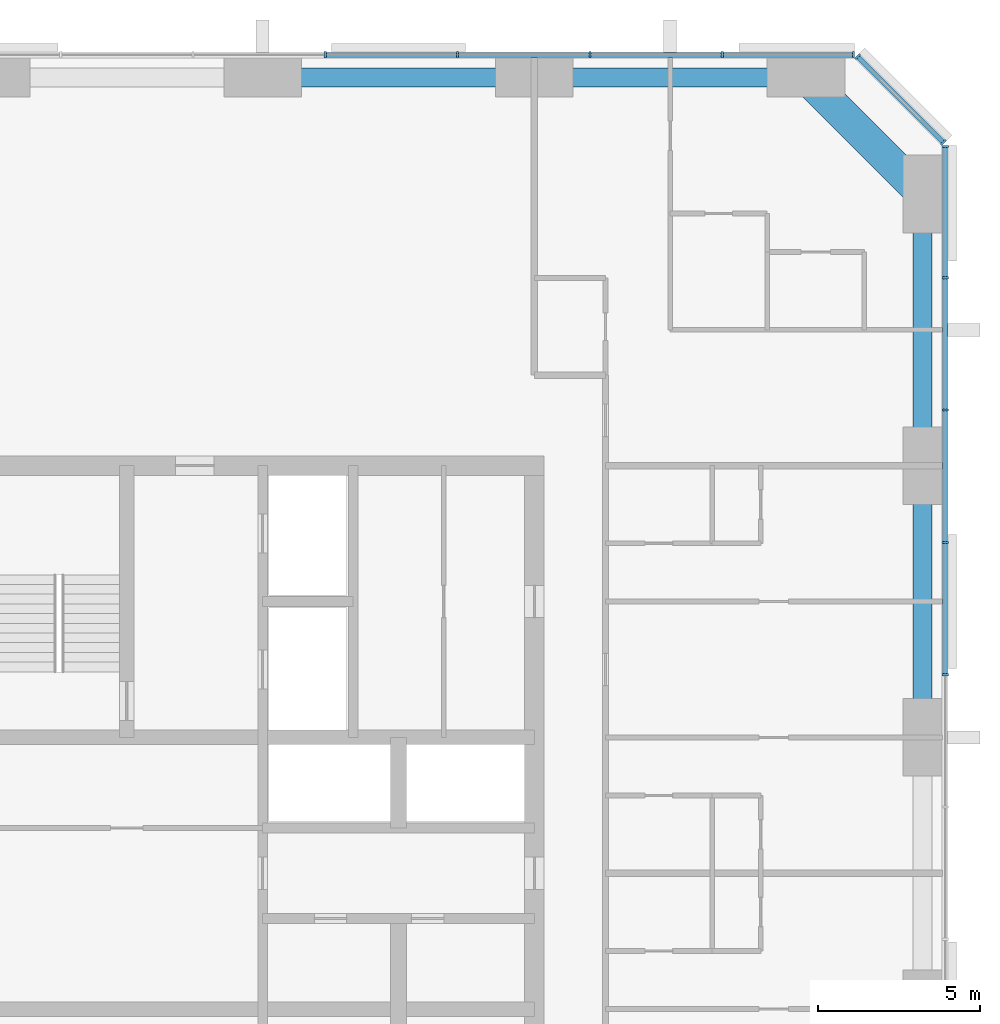
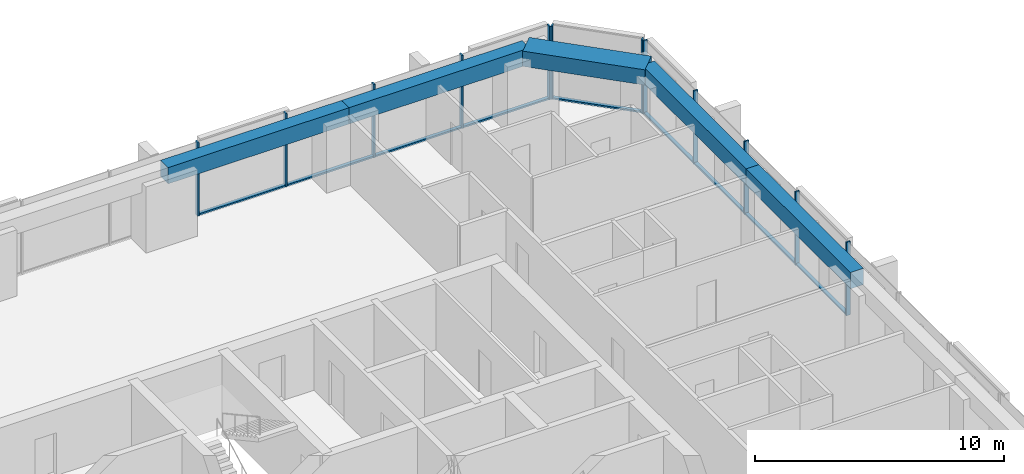
# One storey, part 6 of 14: 21 members, 5 beams, 3 elements without a shape of their own.
"""IFC4 building model written with IfcOpenShell, lengths in metres."""

from ifc_helpers import new_model, si_unit, direction, frame, origin, origin_2d, place, context, subcontext, project, spatial, rectangle, extrude, material, material_profile, profile_set, type_object, element, aggregate, save


model = new_model("IFC4")

# Units and contexts
model_context = context("Model", 3, precision=1e-05, world=origin(), true_north=direction((0.0, 1.0)))
body_context = subcontext(model_context, "Body", "Model", "MODEL_VIEW")
ifc_project = project(units=[si_unit("LENGTHUNIT", "METRE"), si_unit("AREAUNIT", "SQUARE_METRE"), si_unit("VOLUMEUNIT", "CUBIC_METRE"), si_unit("PLANEANGLEUNIT", "RADIAN"), si_unit("MASSUNIT", "GRAM", prefix="KILO")], contexts=[model_context])

# Site, building, storey
site_placement = place(None, origin())
site = spatial("IfcSite", under=ifc_project, at=site_placement, CompositionType="ELEMENT")
building_placement = place(site_placement, origin())
building = spatial("IfcBuilding", under=site, at=building_placement, Name="Dunama Terrace Hotel", CompositionType="ELEMENT")
storey_placement = place(building_placement, frame((0.0, 0.0, 202.199951171875)))
storey = spatial("IfcBuildingStorey", under=building, at=storey_placement, Name="L52", CompositionType="ELEMENT", Elevation=202.199951171875)

# Curtain wall, members
ifc_material_1 = material(Name="Aluminium curtain wall system", Category="aluminium")
curtain_wall_type = type_object("IfcCurtainWallType", Name="Unitised fritted glass wall CW-C", PredefinedType="NOTDEFINED", material=ifc_material_1)
curtain_wall_1_placement = place(storey_placement, origin())
curtain_wall_1 = element("IfcCurtainWall", 1, at=curtain_wall_1_placement, inside=storey, type_object=curtain_wall_type, Name="Unitised fritted glass wall CW-C L52", PredefinedType="NOTDEFINED")
ifc_material_2 = material(Name="Aluminium mullion", Category="aluminium")
ifc_material_profile_1 = material_profile(ifc_material_2, rectangle(XDim=0.070068359375, YDim=0.199951171875, at=origin_2d()), Name="CWC MULLION 70X200")
ifc_profile_set_1 = profile_set([ifc_material_profile_1], Name="Aluminium mullion")
member_type_1 = type_object("IfcMemberType", Name="CWC mullion 70x200", PredefinedType="MULLION", material=ifc_profile_set_1)
member_1_placement = place(storey_placement, frame((54.699951171875, 35.535888671875, 0.0), z_axis=(0.0, 0.0, 1.0), x_axis=(0.0, 1.0, 0.0)))
member_1 = element("IfcMember", 2, at=member_1_placement, type_object=member_type_1, Name="CWC mullion", PredefinedType="MULLION", context=body_context, shape_type="SweptSolid", body=[
    extrude(rectangle(XDim=0.070068359375, YDim=0.199951171875, at=origin_2d()), origin(), (0.0, 0.0, 1.0), 3.60009765625),
])
member_2_placement = place(storey_placement, frame((54.699951171875, 39.626953125, 0.0), z_axis=(0.0, 0.0, 1.0), x_axis=(0.0, 1.0, 0.0)))
member_2 = element("IfcMember", 3, at=member_2_placement, type_object=member_type_1, Name="CWC mullion", PredefinedType="MULLION", context=body_context, shape_type="SweptSolid", body=[
    extrude(rectangle(XDim=0.070068359375, YDim=0.199951171875, at=origin_2d()), origin(), (0.0, 0.0, 1.0), 3.60009765625),
])
member_3_placement = place(storey_placement, frame((54.699951171875, 43.718017578125, 0.0), z_axis=(0.0, 0.0, 1.0), x_axis=(0.0, 1.0, 0.0)))
member_3 = element("IfcMember", 4, at=member_3_placement, type_object=member_type_1, Name="CWC mullion", PredefinedType="MULLION", context=body_context, shape_type="SweptSolid", body=[
    extrude(rectangle(XDim=0.070068359375, YDim=0.199951171875, at=origin_2d()), origin(), (0.0, 0.0, 1.0), 3.60009765625),
])
member_4_placement = place(storey_placement, frame((54.699951171875, 47.80908203125, 0.0), z_axis=(0.0, 0.0, 1.0), x_axis=(0.0, 1.0, 0.0)))
member_4 = element("IfcMember", 5, at=member_4_placement, type_object=member_type_1, Name="CWC mullion", PredefinedType="MULLION", context=body_context, shape_type="SweptSolid", body=[
    extrude(rectangle(XDim=0.070068359375, YDim=0.199951171875, at=origin_2d()), origin(), (0.0, 0.0, 1.0), 3.60009765625),
])
member_5_placement = place(storey_placement, frame((54.699951171875, 51.864990234375, 0.0), z_axis=(0.0, 0.0, 1.0), x_axis=(0.0, 1.0, 0.0)))
member_5 = element("IfcMember", 6, at=member_5_placement, type_object=member_type_1, Name="CWC mullion", PredefinedType="MULLION", context=body_context, shape_type="SweptSolid", body=[
    extrude(rectangle(XDim=0.070068359375, YDim=0.199951171875, at=origin_2d()), origin(), (0.0, 0.0, 1.0), 3.60009765625),
])

curtain_wall_2_placement = place(storey_placement, origin())
curtain_wall_2 = element("IfcCurtainWall", 7, at=curtain_wall_2_placement, inside=storey, type_object=curtain_wall_type, Name="Unitised fritted glass wall CW-C L52", PredefinedType="NOTDEFINED")
member_6_placement = place(storey_placement, frame((54.64599609375, 51.9951171875, 0.0), z_axis=(0.0, 0.0, 1.0), x_axis=(-0.707106781187, 0.707106781187, 0.0)))
member_6 = element("IfcMember", 8, at=member_6_placement, type_object=member_type_1, Name="CWC mullion", PredefinedType="MULLION", context=body_context, shape_type="SweptSolid", body=[
    extrude(rectangle(XDim=0.070068359375, YDim=0.199951171875, at=origin_2d()), origin(), (0.0, 0.0, 1.0), 3.60009765625),
])
member_7_placement = place(storey_placement, frame((51.9951171875, 54.64599609375, 0.0), z_axis=(0.0, 0.0, 1.0), x_axis=(-0.707106781187, 0.707106781187, 0.0)))
member_7 = element("IfcMember", 9, at=member_7_placement, type_object=member_type_1, Name="CWC mullion", PredefinedType="MULLION", context=body_context, shape_type="SweptSolid", body=[
    extrude(rectangle(XDim=0.070068359375, YDim=0.199951171875, at=origin_2d()), origin(), (0.0, 0.0, 1.0), 3.60009765625),
])

curtain_wall_3_placement = place(storey_placement, origin())
curtain_wall_3 = element("IfcCurtainWall", 10, at=curtain_wall_3_placement, inside=storey, type_object=curtain_wall_type, Name="Unitised fritted glass wall CW-C L52", PredefinedType="NOTDEFINED")
member_8_placement = place(storey_placement, frame((51.864990234375, 54.699951171875, 0.0), z_axis=(0.0, 0.0, 1.0), x_axis=(-1.0, 0.0, 0.0)))
member_8 = element("IfcMember", 11, at=member_8_placement, type_object=member_type_1, Name="CWC mullion", PredefinedType="MULLION", context=body_context, shape_type="SweptSolid", body=[
    extrude(rectangle(XDim=0.070068359375, YDim=0.199951171875, at=origin_2d()), origin(), (0.0, 0.0, 1.0), 3.60009765625),
])
member_9_placement = place(storey_placement, frame((47.80908203125, 54.699951171875, 0.0), z_axis=(0.0, 0.0, 1.0), x_axis=(-1.0, 0.0, 0.0)))
member_9 = element("IfcMember", 12, at=member_9_placement, type_object=member_type_1, Name="CWC mullion", PredefinedType="MULLION", context=body_context, shape_type="SweptSolid", body=[
    extrude(rectangle(XDim=0.070068359375, YDim=0.199951171875, at=origin_2d()), origin(), (0.0, 0.0, 1.0), 3.60009765625),
])
member_10_placement = place(storey_placement, frame((43.718017578125, 54.699951171875, 0.0), z_axis=(0.0, 0.0, 1.0), x_axis=(-1.0, 0.0, 0.0)))
member_10 = element("IfcMember", 13, at=member_10_placement, type_object=member_type_1, Name="CWC mullion", PredefinedType="MULLION", context=body_context, shape_type="SweptSolid", body=[
    extrude(rectangle(XDim=0.070068359375, YDim=0.199951171875, at=origin_2d()), origin(), (0.0, 0.0, 1.0), 3.60009765625),
])
member_11_placement = place(storey_placement, frame((39.626953125, 54.699951171875, 0.0), z_axis=(0.0, 0.0, 1.0), x_axis=(-1.0, 0.0, 0.0)))
member_11 = element("IfcMember", 14, at=member_11_placement, type_object=member_type_1, Name="CWC mullion", PredefinedType="MULLION", context=body_context, shape_type="SweptSolid", body=[
    extrude(rectangle(XDim=0.070068359375, YDim=0.199951171875, at=origin_2d()), origin(), (0.0, 0.0, 1.0), 3.60009765625),
])
member_12_placement = place(storey_placement, frame((35.535888671875, 54.699951171875, 0.0), z_axis=(0.0, 0.0, 1.0), x_axis=(-1.0, 0.0, 0.0)))
member_12 = element("IfcMember", 15, at=member_12_placement, type_object=member_type_1, Name="CWC mullion", PredefinedType="MULLION", context=body_context, shape_type="SweptSolid", body=[
    extrude(rectangle(XDim=0.070068359375, YDim=0.199951171875, at=origin_2d()), origin(), (0.0, 0.0, 1.0), 3.60009765625),
])

# Member
ifc_material_3 = material(Name="Aluminium transom", Category="aluminium")
ifc_material_profile_2 = material_profile(ifc_material_3, rectangle(XDim=0.159912109375, YDim=0.080078125, at=origin_2d()), Name="CWC TRANSOM 160X80")
ifc_profile_set_2 = profile_set([ifc_material_profile_2], Name="Aluminium transom")
member_type_2 = type_object("IfcMemberType", Name="CWC transom 160x80", PredefinedType="USERDEFINED", material=ifc_profile_set_2)
member_13_placement = place(storey_placement, frame((54.699951171875, 35.571044921875, 0.0400390625), z_axis=(0.0, 1.0, 0.0), x_axis=(-1.0, 0.0, 0.0)))
member_13 = element("IfcMember", 16, at=member_13_placement, type_object=member_type_2, Name="CWC transom", ObjectType="TRANSOM", PredefinedType="USERDEFINED", context=body_context, shape_type="SweptSolid", body=[
    extrude(rectangle(XDim=0.159912109375, YDim=0.080078125, at=origin_2d()), origin(), (0.0, 0.0, 1.0), 4.02099609375),
])

member_14_placement = place(storey_placement, frame((54.699951171875, 39.662109375, 0.0400390625), z_axis=(0.0, 1.0, 0.0), x_axis=(-1.0, 0.0, 0.0)))
member_14 = element("IfcMember", 17, at=member_14_placement, type_object=member_type_2, Name="CWC transom", ObjectType="TRANSOM", PredefinedType="USERDEFINED", context=body_context, shape_type="SweptSolid", body=[
    extrude(rectangle(XDim=0.159912109375, YDim=0.080078125, at=origin_2d()), origin(), (0.0, 0.0, 1.0), 4.02099609375),
])

member_15_placement = place(storey_placement, frame((54.699951171875, 43.7529296875, 0.0400390625), z_axis=(0.0, 1.0, 0.0), x_axis=(-1.0, 0.0, 0.0)))
member_15 = element("IfcMember", 18, at=member_15_placement, type_object=member_type_2, Name="CWC transom", ObjectType="TRANSOM", PredefinedType="USERDEFINED", context=body_context, shape_type="SweptSolid", body=[
    extrude(rectangle(XDim=0.159912109375, YDim=0.080078125, at=origin_2d()), origin(), (0.0, 0.0, 1.0), 4.02099609375),
])

member_16_placement = place(storey_placement, frame((54.699951171875, 47.843994140625, 0.0400390625), z_axis=(0.0, 1.0, 0.0), x_axis=(-1.0, 0.0, 0.0)))
member_16 = element("IfcMember", 19, at=member_16_placement, type_object=member_type_2, Name="CWC transom", ObjectType="TRANSOM", PredefinedType="USERDEFINED", context=body_context, shape_type="SweptSolid", body=[
    extrude(rectangle(XDim=0.159912109375, YDim=0.080078125, at=origin_2d()), origin(), (0.0, 0.0, 1.0), 3.986083984375),
])

aggregate(curtain_wall_1, [member_1, member_2, member_3, member_4, member_5, member_13, member_14, member_15, member_16])

member_17_placement = place(storey_placement, frame((54.62109375, 52.02001953125, 0.0400390625), z_axis=(-0.707106781187, 0.707106781187, 0.0), x_axis=(-0.707106781187, -0.707106781187, 0.0)))
member_17 = element("IfcMember", 20, at=member_17_placement, type_object=member_type_2, Name="CWC transom", ObjectType="TRANSOM", PredefinedType="USERDEFINED", context=body_context, shape_type="SweptSolid", body=[
    extrude(rectangle(XDim=0.159912109375, YDim=0.080078125, at=origin_2d()), origin(), (0.0, 0.0, 1.0), 3.678466796875),
])

aggregate(curtain_wall_2, [member_6, member_7, member_17])

member_18_placement = place(storey_placement, frame((51.830078125, 54.699951171875, 0.0400390625), z_axis=(-1.0, 0.0, 0.0), x_axis=(0.0, -1.0, 0.0)))
member_18 = element("IfcMember", 21, at=member_18_placement, type_object=member_type_2, Name="CWC transom", ObjectType="TRANSOM", PredefinedType="USERDEFINED", context=body_context, shape_type="SweptSolid", body=[
    extrude(rectangle(XDim=0.159912109375, YDim=0.080078125, at=origin_2d()), origin(), (0.0, 0.0, 1.0), 3.986083984375),
])

member_19_placement = place(storey_placement, frame((47.77392578125, 54.699951171875, 0.0400390625), z_axis=(-1.0, 0.0, 0.0), x_axis=(0.0, -1.0, 0.0)))
member_19 = element("IfcMember", 22, at=member_19_placement, type_object=member_type_2, Name="CWC transom", ObjectType="TRANSOM", PredefinedType="USERDEFINED", context=body_context, shape_type="SweptSolid", body=[
    extrude(rectangle(XDim=0.159912109375, YDim=0.080078125, at=origin_2d()), origin(), (0.0, 0.0, 1.0), 4.02099609375),
])

member_20_placement = place(storey_placement, frame((43.68310546875, 54.699951171875, 0.0400390625), z_axis=(-1.0, 0.0, 0.0), x_axis=(0.0, -1.0, 0.0)))
member_20 = element("IfcMember", 23, at=member_20_placement, type_object=member_type_2, Name="CWC transom", ObjectType="TRANSOM", PredefinedType="USERDEFINED", context=body_context, shape_type="SweptSolid", body=[
    extrude(rectangle(XDim=0.159912109375, YDim=0.080078125, at=origin_2d()), origin(), (0.0, 0.0, 1.0), 4.02099609375),
])

member_21_placement = place(storey_placement, frame((39.592041015625, 54.699951171875, 0.0400390625), z_axis=(-1.0, 0.0, 0.0), x_axis=(0.0, -1.0, 0.0)))
member_21 = element("IfcMember", 24, at=member_21_placement, type_object=member_type_2, Name="CWC transom", ObjectType="TRANSOM", PredefinedType="USERDEFINED", context=body_context, shape_type="SweptSolid", body=[
    extrude(rectangle(XDim=0.159912109375, YDim=0.080078125, at=origin_2d()), origin(), (0.0, 0.0, 1.0), 4.02099609375),
])

aggregate(curtain_wall_3, [member_8, member_9, member_10, member_11, member_12, member_18, member_19, member_20, member_21])

# Beams
ifc_material_4 = material(Name="Concrete C50/60", Category="concrete")
ifc_material_profile_3 = material_profile(ifc_material_4, rectangle(XDim=1.0, YDim=0.75, at=origin_2d()), Name="RC 1000x750")
ifc_profile_set_3 = profile_set([ifc_material_profile_3], Name="Concrete C50/60")
beam_type_1 = type_object("IfcBeamType", Name="Edge beam RC 1000x750", PredefinedType="SPANDREL", material=ifc_profile_set_3)
beam_placement = place(storey_placement, frame((50.39990234375, 54.0, 3.22509765625), z_axis=(0.707106781187, -0.707106781187, 0.0), x_axis=(0.707106781187, 0.707106781187, 0.0)))
element("IfcBeam", 25, at=beam_placement, inside=storey, type_object=beam_type_1, Name="Corner edge beam under L53", PredefinedType="SPANDREL", context=body_context, shape_type="SweptSolid", body=[
    extrude(rectangle(XDim=1.0, YDim=0.75, at=origin_2d()), origin(), (0.0, 0.0, 1.0), 5.09130859375),
])
ifc_material_5 = material(Name="Concrete C40/50", Category="concrete")
ifc_material_profile_4 = material_profile(ifc_material_5, rectangle(XDim=0.60009765625, YDim=0.800048828125, at=origin_2d()), Name="RC 600x800")
ifc_profile_set_4 = profile_set([ifc_material_profile_4], Name="Concrete C40/50")
beam_type_2 = type_object("IfcBeamType", Name="Edge beam RC 600x800", PredefinedType="SPANDREL", material=ifc_profile_set_4)
for number, where, z_axis, x_axis, name in (
    (26, (54.0, 33.60009765625, 3.199951171875), (0.0, 1.0, 0.0), (-1.0, 0.0, 0.0), "Edge beam under L53"),
    (27, (54.0, 42.0, 3.199951171875), (0.0, 1.0, 0.0), (-1.0, 0.0, 0.0), "Edge beam under L53"),
    (28, (33.60009765625, 54.0, 3.199951171875), (1.0, 0.0, 0.0), (0.0, 1.0, 0.0), "Edge beam under L53"),
    (29, (42.0, 54.0, 3.199951171875), (1.0, 0.0, 0.0), (0.0, 1.0, 0.0), "Edge beam under L53"),
):
    element("IfcBeam", number, at=place(storey_placement, frame(where, z_axis=z_axis, x_axis=x_axis)), inside=storey, type_object=beam_type_2, Name=name, PredefinedType="SPANDREL", context=body_context, shape_type="SweptSolid", body=[
        extrude(rectangle(XDim=0.60009765625, YDim=0.800048828125, at=origin_2d()), origin(), (0.0, 0.0, 1.0), 8.39990234375),
    ])

save(model, "model.ifc")
